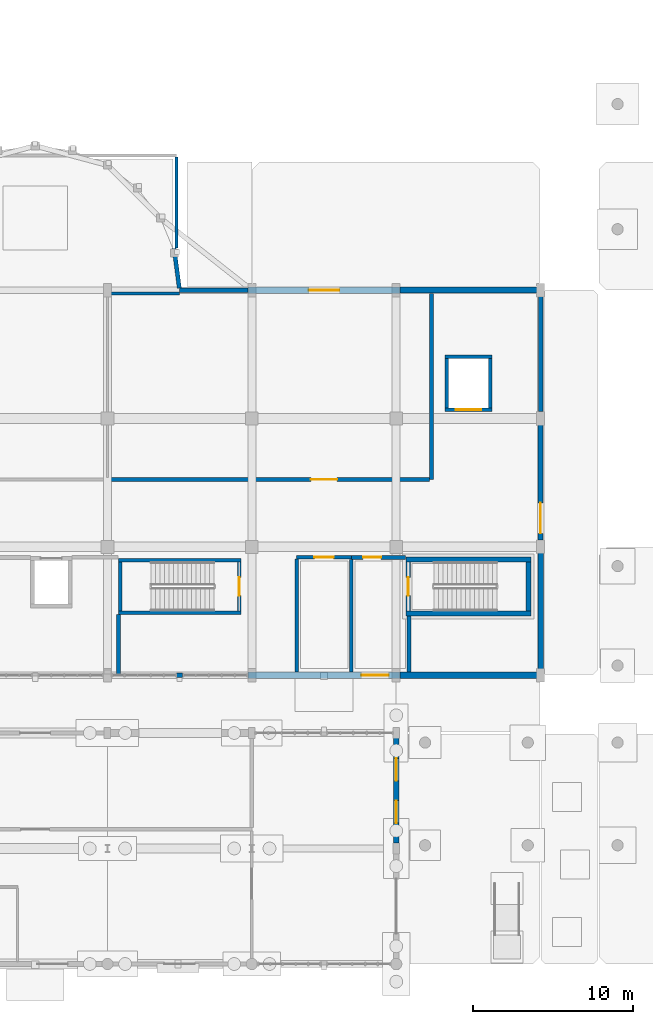
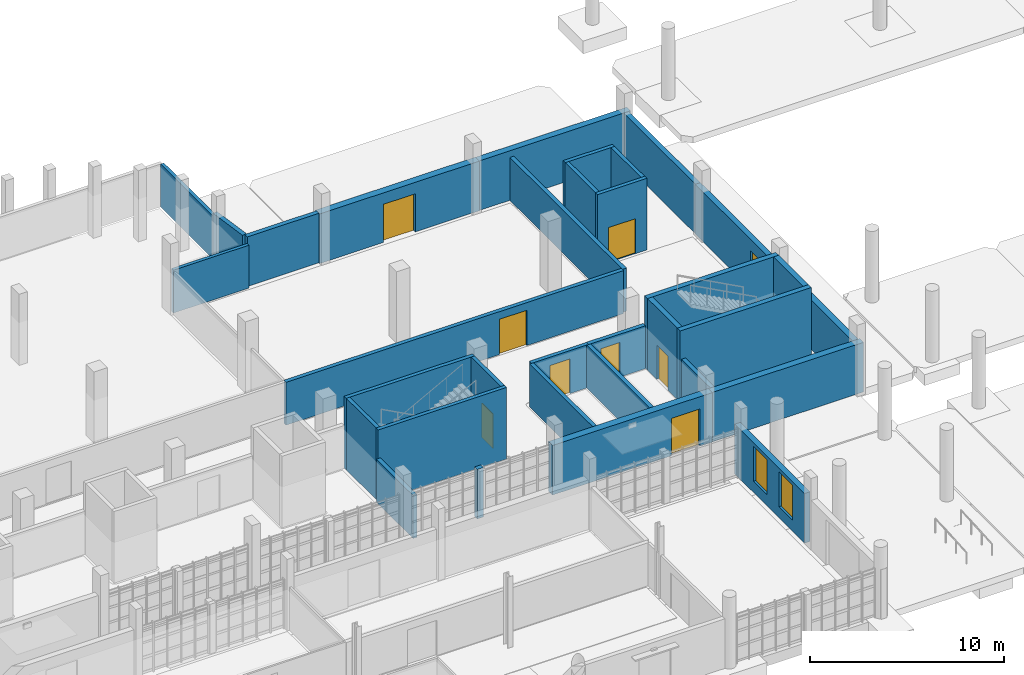
# One storey, part 45 of 63: 33 walls, 9 doors, 2 windows, 11 openings.
"""IFC4 building model written with IfcOpenShell, lengths in metres."""

from ifc_helpers import new_model, si_unit, direction, frame, frame_2d, origin, place, context, subcontext, project, spatial, rectangle, extrude, material, layer, layer_set, type_object, element, fill, save


model = new_model("IFC4")

# Units and contexts
model_context = context("Model", 3, precision=1e-05, world=origin(), true_north=direction((0.0, 1.0)))
body_context = subcontext(model_context, "Body", "Model", "MODEL_VIEW")
ifc_project = project(units=[si_unit("LENGTHUNIT", "METRE"), si_unit("AREAUNIT", "SQUARE_METRE"), si_unit("VOLUMEUNIT", "CUBIC_METRE"), si_unit("PLANEANGLEUNIT", "RADIAN"), si_unit("MASSUNIT", "GRAM", prefix="KILO")], contexts=[model_context])

# Site, building, storey
site_placement = place(None, origin())
site = spatial("IfcSite", under=ifc_project, at=site_placement, CompositionType="ELEMENT")
building_placement = place(site_placement, origin())
building = spatial("IfcBuilding", under=site, at=building_placement, Name="Serraforn Aerial Cableway Station", CompositionType="ELEMENT")
storey_placement = place(building_placement, origin())
storey = spatial("IfcBuildingStorey", under=building, at=storey_placement, Name="L00", CompositionType="ELEMENT", Elevation=0.0)

# Wall, opening, door
ifc_material_1 = material(Name="Concrete C35/45", Category="concrete")
ifc_layer_1 = layer(ifc_material_1, 0.219970703125)
ifc_layer_set_1 = layer_set([ifc_layer_1], Name="Concrete C35/45")
wall_type_1 = type_object("IfcWallType", Name="WL-COR-220", PredefinedType="SHEAR", material=ifc_layer_set_1)
wall_1_placement = place(storey_placement, frame((71.81005859375, 25.06005859375, 0.0), z_axis=(0.0, 0.0, 1.0), x_axis=(0.0, -1.0, 0.0)))
wall_1 = element("IfcWall", 1, at=wall_1_placement, inside=storey, type_object=wall_type_1, Name="Stair Core Shear Wall WCOR-ST-05-L00-NEAR", PredefinedType="SHEAR", context=body_context, shape_type="SweptSolid", body=[
    extrude(rectangle(XDim=3.06005859375, YDim=0.219970703125, at=frame_2d((1.530029296875, 0.0))), origin(), (0.0, 0.0, 1.0), 4.5),
])
opening_1_placement = place(wall_1_placement, frame((0.955078125, 0.0, 0.0)))
opening_1 = element("IfcOpeningElement", 2, at=opening_1_placement, cuts=wall_1, Name="Opening D-S23", PredefinedType="OPENING", context=body_context, shape_type="SweptSolid", body=[
    extrude(rectangle(XDim=1.14990234375, YDim=2.14990234375, at=frame_2d((0.574951171875, 1.074951171875))), frame((0.0, 0.119873046875, 0.0), z_axis=(0.0, -1.0, 0.0), x_axis=(1.0, 0.0, 0.0)), (0.0, 0.0, 1.0), 0.239990234375),
])
ifc_material_2 = material(Name="Self-closing steel stair fire door", Category="steel")
door_type_1 = type_object("IfcDoorType", Name="DR-STAIR-115", OperationType="NOTDEFINED", PredefinedType="DOOR", material=ifc_material_2)
door_1_placement = place(opening_1_placement, origin())
door_1 = element("IfcDoor", 3, at=door_1_placement, inside=storey, type_object=door_type_1, Name="Protected Stair Door D-S23", OperationType="SINGLE_SWING_LEFT", OverallHeight=2.14990234375, OverallWidth=1.14990234375, PredefinedType="DOOR", context=body_context, shape_type="SweptSolid", body=[
    extrude(rectangle(XDim=1.14990234375, YDim=2.14990234375, at=frame_2d((0.574951171875, 1.074951171875))), frame((0.0, 0.02490234375, 0.0), z_axis=(0.0, -1.0, 0.0), x_axis=(1.0, 0.0, 0.0)), (0.0, 0.0, 1.0), 0.050048828125),
])
fill(opening_1, door_1)

# Walls
wall_2_placement = place(storey_placement, frame((64.389892578125, 25.06005859375, 0.0), z_axis=(0.0, 0.0, 1.0), x_axis=(0.0, -1.0, 0.0)))
element("IfcWall", 4, at=wall_2_placement, inside=storey, type_object=wall_type_1, Name="Stair Core Shear Wall WCOR-ST-05-L00-FAR", PredefinedType="SHEAR", context=body_context, shape_type="SweptSolid", body=[
    extrude(rectangle(XDim=3.06005859375, YDim=0.219970703125, at=frame_2d((1.530029296875, 0.0))), origin(), (0.0, 0.0, 1.0), 4.5),
])
for number, where, z_axis, x_axis, name in (
    (5, (71.919921875, 25.169921875, 0.0), (0.0, 0.0, 1.0), (-1.0, 0.0, 0.0), "Stair Core Shear Wall WCOR-ST-05-L00-L"),
    (6, (71.919921875, 21.889892578125, 0.0), (0.0, 0.0, 1.0), (-1.0, 0.0, 0.0), "Stair Core Shear Wall WCOR-ST-05-L00-R"),
):
    element("IfcWall", number, at=place(storey_placement, frame(where, z_axis=z_axis, x_axis=x_axis)), inside=storey, type_object=wall_type_1, Name=name, PredefinedType="SHEAR", context=body_context, shape_type="SweptSolid", body=[
        extrude(rectangle(XDim=7.639892578125, YDim=0.219970703125, at=frame_2d((3.81982421875, 0.0))), origin(), (0.0, 0.0, 1.0), 4.5),
    ])

# Wall, opening, door
wall_3_placement = place(storey_placement, frame((84.6298828125, 34.5400390625, 0.0), z_axis=(0.0, 0.0, 1.0), x_axis=(1.0, 0.0, 0.0)))
wall_3 = element("IfcWall", 7, at=wall_3_placement, inside=storey, type_object=wall_type_1, Name="Lift Shaft Shear Wall WLFT-LF-05-L00-S", PredefinedType="SHEAR", context=body_context, shape_type="SweptSolid", body=[
    extrude(rectangle(XDim=2.940185546875, YDim=0.219970703125, at=frame_2d((1.47021484375, 0.0))), origin(), (0.0, 0.0, 1.0), 4.5),
])
opening_2_placement = place(wall_3_placement, frame((0.669921875, 0.0, 0.0)))
opening_2 = element("IfcOpeningElement", 8, at=opening_2_placement, cuts=wall_3, Name="Opening LD-19", PredefinedType="OPENING", context=body_context, shape_type="SweptSolid", body=[
    extrude(rectangle(XDim=1.60009765625, YDim=2.199951171875, at=frame_2d((0.800048828125, 1.10009765625))), frame((0.0, 0.119873046875, 0.0), z_axis=(0.0, -1.0, 0.0), x_axis=(1.0, 0.0, 0.0)), (0.0, 0.0, 1.0), 0.239990234375),
])
ifc_material_3 = material(Name="Brushed stainless-steel sliding lift landing door", Category="steel")
door_type_2 = type_object("IfcDoorType", Name="DR-LIFT-160", OperationType="DOUBLE_DOOR_SLIDING", PredefinedType="DOOR", material=ifc_material_3)
door_2_placement = place(opening_2_placement, origin())
door_2 = element("IfcDoor", 9, at=door_2_placement, inside=storey, type_object=door_type_2, Name="Sliding Lift Landing Door LD-19 (LF-05 L00)", OperationType="DOUBLE_DOOR_SLIDING", OverallHeight=2.199951171875, OverallWidth=1.60009765625, PredefinedType="DOOR", context=body_context, shape_type="SweptSolid", body=[
    extrude(rectangle(XDim=1.60009765625, YDim=2.199951171875, at=frame_2d((0.800048828125, 1.10009765625))), frame((0.0, 0.02490234375, 0.0), z_axis=(0.0, -1.0, 0.0), x_axis=(1.0, 0.0, 0.0)), (0.0, 0.0, 1.0), 0.050048828125),
])
fill(opening_2, door_2)

# Walls
wall_4_placement = place(storey_placement, frame((84.6298828125, 37.860107421875, 0.0), z_axis=(0.0, 0.0, 1.0), x_axis=(1.0, 0.0, 0.0)))
element("IfcWall", 10, at=wall_4_placement, inside=storey, type_object=wall_type_1, Name="Lift Shaft Shear Wall WLFT-LF-05-L00-N", PredefinedType="SHEAR", context=body_context, shape_type="SweptSolid", body=[
    extrude(rectangle(XDim=2.940185546875, YDim=0.219970703125, at=frame_2d((1.47021484375, 0.0))), origin(), (0.0, 0.0, 1.0), 4.5),
])
for number, where, z_axis, x_axis, name in (
    (11, (84.739990234375, 34.64990234375, 0.0), (0.0, 0.0, 1.0), (0.0, 1.0, 0.0), "Lift Shaft Shear Wall WLFT-LF-05-L00-W"),
    (12, (87.4599609375, 34.64990234375, 0.0), (0.0, 0.0, 1.0), (0.0, 1.0, 0.0), "Lift Shaft Shear Wall WLFT-LF-05-L00-E"),
):
    element("IfcWall", number, at=place(storey_placement, frame(where, z_axis=z_axis, x_axis=x_axis)), inside=storey, type_object=wall_type_1, Name=name, PredefinedType="SHEAR", context=body_context, shape_type="SweptSolid", body=[
        extrude(rectangle(XDim=3.10009765625, YDim=0.219970703125, at=frame_2d((1.550048828125, 0.0))), origin(), (0.0, 0.0, 1.0), 4.5),
    ])

# Wall, opening, door
ifc_layer_2 = layer(ifc_material_1, 0.300048828125)
ifc_layer_set_2 = layer_set([ifc_layer_2], Name="Concrete C35/45")
wall_type_2 = type_object("IfcWallType", Name="WL-COR-300", PredefinedType="SHEAR", material=ifc_layer_set_2)
wall_5_placement = place(storey_placement, frame((82.35009765625, 22.0, 0.0), z_axis=(0.0, 0.0, 1.0), x_axis=(0.0, 1.0, 0.0)))
wall_5 = element("IfcWall", 13, at=wall_5_placement, inside=storey, type_object=wall_type_2, Name="Stair Core Shear Wall WCOR-ST-13-L00-NEAR", PredefinedType="SHEAR", context=body_context, shape_type="SweptSolid", body=[
    extrude(rectangle(XDim=3.06005859375, YDim=0.300048828125, at=frame_2d((1.530029296875, 0.0))), origin(), (0.0, 0.0, 1.0), 4.5),
])
opening_3_placement = place(wall_5_placement, frame((0.955078125, 0.0, 0.0)))
opening_3 = element("IfcOpeningElement", 14, at=opening_3_placement, cuts=wall_5, Name="Opening D-S26", PredefinedType="OPENING", context=body_context, shape_type="SweptSolid", body=[
    extrude(rectangle(XDim=1.14990234375, YDim=2.14990234375, at=frame_2d((0.574951171875, 1.074951171875))), frame((0.0, 0.159912109375, 0.0), z_axis=(0.0, -1.0, 0.0), x_axis=(1.0, 0.0, 0.0)), (0.0, 0.0, 1.0), 0.320068359375),
])
door_3_placement = place(opening_3_placement, origin())
door_3 = element("IfcDoor", 15, at=door_3_placement, inside=storey, type_object=door_type_1, Name="Protected Stair Door D-S26", OperationType="SINGLE_SWING_LEFT", OverallHeight=2.14990234375, OverallWidth=1.14990234375, PredefinedType="DOOR", context=body_context, shape_type="SweptSolid", body=[
    extrude(rectangle(XDim=1.14990234375, YDim=2.14990234375, at=frame_2d((0.574951171875, 1.074951171875))), frame((0.0, 0.02490234375, 0.0), z_axis=(0.0, -1.0, 0.0), x_axis=(1.0, 0.0, 0.0)), (0.0, 0.0, 1.0), 0.050048828125),
])
fill(opening_3, door_3)

# Walls
wall_6_placement = place(storey_placement, frame((89.85009765625, 22.0, 0.0), z_axis=(0.0, 0.0, 1.0), x_axis=(0.0, 1.0, 0.0)))
element("IfcWall", 16, at=wall_6_placement, inside=storey, type_object=wall_type_2, Name="Stair Core Shear Wall WCOR-ST-13-L00-FAR", PredefinedType="SHEAR", context=body_context, shape_type="SweptSolid", body=[
    extrude(rectangle(XDim=3.06005859375, YDim=0.300048828125, at=frame_2d((1.530029296875, 0.0))), origin(), (0.0, 0.0, 1.0), 4.5),
])
for number, where, z_axis, x_axis, name in (
    (17, (82.199951171875, 21.85009765625, 0.0), (0.0, 0.0, 1.0), (1.0, 0.0, 0.0), "Stair Core Shear Wall WCOR-ST-13-L00-L"),
    (18, (82.199951171875, 25.2099609375, 0.0), (0.0, 0.0, 1.0), (1.0, 0.0, 0.0), "Stair Core Shear Wall WCOR-ST-13-L00-R"),
):
    element("IfcWall", number, at=place(storey_placement, frame(where, z_axis=z_axis, x_axis=x_axis)), inside=storey, type_object=wall_type_2, Name=name, PredefinedType="SHEAR", context=body_context, shape_type="SweptSolid", body=[
        extrude(rectangle(XDim=7.800048828125, YDim=0.300048828125, at=frame_2d((3.89990234375, 0.0))), origin(), (0.0, 0.0, 1.0), 4.5),
    ])
ifc_material_4 = material(Name="Insulated stuccoed terracotta facade", Category="masonry")
ifc_layer_3 = layer(ifc_material_4, 0.260009765625)
ifc_layer_set_3 = layer_set([ifc_layer_3], Name="Insulated stuccoed terracotta facade")
wall_type_3 = type_object("IfcWallType", Name="WL-EXT-260", PredefinedType="SOLIDWALL", material=ifc_layer_set_3)
wall_7_placement = place(storey_placement, frame((72.34912109375, 42.0, 0.0), z_axis=(0.0, 0.0, 1.0), x_axis=(-1.0, 0.0, 0.0)))
element("IfcWall", 19, at=wall_7_placement, inside=storey, type_object=wall_type_3, Name="Exterior Wall WEXT-CV-L00-N5", PredefinedType="SOLIDWALL", context=body_context, shape_type="SweptSolid", body=[
    extrude(rectangle(XDim=4.2490234375, YDim=0.260009765625, at=frame_2d((2.12451171875, 0.0))), origin(), (0.0, 0.0, 1.0), 3.1201171875),
])
wall_8_placement = place(storey_placement, frame((68.0830078125, 42.12890625, 0.0), z_axis=(0.0, 0.0, 1.0), x_axis=(-0.130570719139, 0.991438998277, 0.0)))
element("IfcWall", 20, at=wall_8_placement, inside=storey, type_object=wall_type_3, Name="Exterior Wall WEXT-AP-L00-R12", PredefinedType="SOLIDWALL", context=body_context, shape_type="SweptSolid", body=[
    extrude(rectangle(XDim=2.5, YDim=0.260009765625, at=frame_2d((1.25, 0.0))), origin(), (0.0, 0.0, 1.0), 3.1201171875),
])
ifc_layer_4 = layer(ifc_material_4, 0.27490234375)
ifc_layer_set_4 = layer_set([ifc_layer_4], Name="Insulated stuccoed terracotta facade")
wall_type_4 = type_object("IfcWallType", Name="WL-EXT-275", PredefinedType="SOLIDWALL", material=ifc_layer_set_4)
wall_9_placement = place(storey_placement, frame((67.919921875, 18.0, 0.0), z_axis=(0.0, 0.0, 1.0), x_axis=(1.0, 0.0, 0.0)))
element("IfcWall", 21, at=wall_9_placement, inside=storey, type_object=wall_type_4, Name="Exterior Wall WPIER-CV-L00-S5", PredefinedType="SOLIDWALL", context=body_context, shape_type="SweptSolid", body=[
    extrude(rectangle(XDim=0.360107421875, YDim=0.27490234375, at=frame_2d((0.18017578125, 0.0))), origin(), (0.0, 0.0, 1.0), 3.1201171875),
])
ifc_material_5 = material(Name="Insulated fluted limestone rainscreen", Category="masonry")
ifc_layer_5 = layer(ifc_material_5, 0.2900390625)
ifc_layer_set_5 = layer_set([ifc_layer_5], Name="Insulated fluted limestone rainscreen")
wall_type_5 = type_object("IfcWallType", Name="WL-EXT-290", PredefinedType="SOLIDWALL", material=ifc_layer_set_5)
wall_10_placement = place(storey_placement, frame((90.60009765625, 34.426025390625, 0.0), z_axis=(0.0, 0.0, 1.0), x_axis=(0.0, 1.0, 0.0)))
element("IfcWall", 22, at=wall_10_placement, inside=storey, type_object=wall_type_5, Name="Exterior Wall WEXT-CV-L00-E3", PredefinedType="SOLIDWALL", context=body_context, shape_type="SweptSolid", body=[
    extrude(rectangle(XDim=7.383056640625, YDim=0.2900390625, at=frame_2d((3.69140625, 0.0))), origin(), (0.0, 0.0, 1.0), 3.1201171875),
])

# Wall, opening, door
ifc_layer_6 = layer(ifc_material_5, 0.320068359375)
ifc_layer_set_6 = layer_set([ifc_layer_6], Name="Insulated fluted limestone rainscreen")
wall_type_6 = type_object("IfcWallType", Name="WL-EXT-320", PredefinedType="SOLIDWALL", material=ifc_layer_set_6)
wall_11_placement = place(storey_placement, frame((90.60009765625, 26.426025390625, 0.0), z_axis=(0.0, 0.0, 1.0), x_axis=(0.0, 1.0, 0.0)))
wall_11 = element("IfcWall", 23, at=wall_11_placement, inside=storey, type_object=wall_type_6, Name="Exterior Wall WEXT-CV-L00-E2", PredefinedType="SOLIDWALL", context=body_context, shape_type="SweptSolid", body=[
    extrude(rectangle(XDim=7.9990234375, YDim=0.320068359375, at=frame_2d((3.99951171875, 0.0))), origin(), (0.0, 0.0, 1.0), 3.1201171875),
])
opening_4_placement = place(wall_11_placement, frame((0.41162109375, 0.0, 0.0)))
opening_4 = element("IfcOpeningElement", 24, at=opening_4_placement, cuts=wall_11, Name="Opening DE-01", PredefinedType="OPENING", context=body_context, shape_type="SweptSolid", body=[
    extrude(rectangle(XDim=1.89990234375, YDim=2.39990234375, at=frame_2d((0.949951171875, 1.199951171875))), frame((0.0, 0.169921875, 0.0), z_axis=(0.0, -1.0, 0.0), x_axis=(1.0, 0.0, 0.0)), (0.0, 0.0, 1.0), 0.340087890625),
])
ifc_material_6 = material(Name="Anodised bronze thermally broken aluminium and laminated glass", Category="aluminium")
door_type_3 = type_object("IfcDoorType", Name="DR-EXT-190", OperationType="DOUBLE_SWING_LEFT", PredefinedType="DOOR", material=ifc_material_6)
door_4_placement = place(opening_4_placement, origin())
door_4 = element("IfcDoor", 25, at=door_4_placement, inside=storey, type_object=door_type_3, Name="Exterior Door DE-CV-L00-E2", OperationType="DOUBLE_SWING_LEFT", OverallHeight=2.39990234375, OverallWidth=1.89990234375, PredefinedType="DOOR", context=body_context, shape_type="SweptSolid", body=[
    extrude(rectangle(XDim=1.89990234375, YDim=2.39990234375, at=frame_2d((0.949951171875, 1.199951171875))), frame((0.0, 0.02490234375, 0.0), z_axis=(0.0, -1.0, 0.0), x_axis=(1.0, 0.0, 0.0)), (0.0, 0.0, 1.0), 0.050048828125),
])
fill(opening_4, door_4)

# Wall, openings, windows
ifc_layer_7 = layer(ifc_material_5, 0.3349609375)
ifc_layer_set_7 = layer_set([ifc_layer_7], Name="Insulated fluted limestone rainscreen")
wall_type_7 = type_object("IfcWallType", Name="WL-EXT-335", PredefinedType="SOLIDWALL", material=ifc_layer_set_7)
wall_12_placement = place(storey_placement, frame((81.60009765625, 7.551025390625, 0.0), z_axis=(0.0, 0.0, 1.0), x_axis=(0.0, 1.0, 0.0)))
wall_12 = element("IfcWall", 26, at=wall_12_placement, inside=storey, type_object=wall_type_7, Name="Exterior Wall WEXT-CF-L00-E2", PredefinedType="SOLIDWALL", context=body_context, shape_type="SweptSolid", body=[
    extrude(rectangle(XDim=7.198974609375, YDim=0.3349609375, at=frame_2d((3.599609375, 0.0))), origin(), (0.0, 0.0, 1.0), 3.1201171875),
])
opening_5_placement = place(wall_12_placement, frame((1.232421875, 0.0, 0.699951171875)))
opening_5 = element("IfcOpeningElement", 27, at=opening_5_placement, cuts=wall_12, Name="Opening W-07", PredefinedType="OPENING", context=body_context, shape_type="SweptSolid", body=[
    extrude(rectangle(XDim=1.39990234375, YDim=2.199951171875, at=frame_2d((0.699951171875, 1.10009765625))), frame((0.0, 0.177490234375, 0.0), z_axis=(0.0, -1.0, 0.0), x_axis=(1.0, 0.0, 0.0)), (0.0, 0.0, 1.0), 0.35498046875),
])
opening_6_placement = place(wall_12_placement, frame((3.86572265625, 0.0, 0.699951171875)))
opening_6 = element("IfcOpeningElement", 28, at=opening_6_placement, cuts=wall_12, Name="Opening W-07", PredefinedType="OPENING", context=body_context, shape_type="SweptSolid", body=[
    extrude(rectangle(XDim=1.39990234375, YDim=2.199951171875, at=frame_2d((0.699951171875, 1.10009765625))), frame((0.0, 0.177490234375, 0.0), z_axis=(0.0, -1.0, 0.0), x_axis=(1.0, 0.0, 0.0)), (0.0, 0.0, 1.0), 0.35498046875),
])
ifc_material_7 = material(Name="Anodised bronze aluminium and low-E double glazing", Category="aluminium")
window_type = type_object("IfcWindowType", Name="WIN-ART-07", PartitioningType="SINGLE_PANEL", PredefinedType="WINDOW", material=ifc_material_7)
window_1_placement = place(opening_5_placement, origin())
window_1 = element("IfcWindow", 29, at=window_1_placement, inside=storey, type_object=window_type, Name="Art Deco Window WEXT-CF-L00-E2-W1", OverallHeight=2.199951171875, OverallWidth=1.39990234375, PartitioningType="SINGLE_PANEL", PredefinedType="WINDOW", context=body_context, shape_type="SweptSolid", body=[
    extrude(rectangle(XDim=1.39990234375, YDim=2.199951171875, at=frame_2d((0.699951171875, 1.10009765625))), frame((0.0, 0.030029296875, 0.0), z_axis=(0.0, -1.0, 0.0), x_axis=(1.0, 0.0, 0.0)), (0.0, 0.0, 1.0), 0.06005859375),
])
fill(opening_5, window_1)
window_2_placement = place(opening_6_placement, origin())
window_2 = element("IfcWindow", 30, at=window_2_placement, inside=storey, type_object=window_type, Name="Art Deco Window WEXT-CF-L00-E2-W2", OverallHeight=2.199951171875, OverallWidth=1.39990234375, PartitioningType="SINGLE_PANEL", PredefinedType="WINDOW", context=body_context, shape_type="SweptSolid", body=[
    extrude(rectangle(XDim=1.39990234375, YDim=2.199951171875, at=frame_2d((0.699951171875, 1.10009765625))), frame((0.0, 0.030029296875, 0.0), z_axis=(0.0, -1.0, 0.0), x_axis=(1.0, 0.0, 0.0)), (0.0, 0.0, 1.0), 0.06005859375),
])
fill(opening_6, window_2)

# Walls
ifc_material_8 = material(Name="Montjuic sandstone ashlar masonry", Category="masonry")
ifc_layer_8 = layer(ifc_material_8, 0.35009765625)
ifc_layer_set_8 = layer_set([ifc_layer_8], Name="Montjuic sandstone ashlar masonry")
wall_type_8 = type_object("IfcWallType", Name="WL-EXT-350", PredefinedType="SOLIDWALL", material=ifc_layer_set_8)
wall_13_placement = place(storey_placement, frame((90.60009765625, 18.200927734375, 0.0), z_axis=(0.0, 0.0, 1.0), x_axis=(0.0, 1.0, 0.0)))
element("IfcWall", 31, at=wall_13_placement, inside=storey, type_object=wall_type_8, Name="Exterior Wall WEXT-CV-L00-E1", PredefinedType="SOLIDWALL", context=body_context, shape_type="SweptSolid", body=[
    extrude(rectangle(XDim=8.22412109375, YDim=0.35009765625, at=frame_2d((4.112060546875, 0.0))), origin(), (0.0, 0.0, 1.0), 3.1201171875),
])
ifc_layer_9 = layer(ifc_material_8, 0.3798828125)
ifc_layer_set_9 = layer_set([ifc_layer_9], Name="Montjuic sandstone ashlar masonry")
wall_type_9 = type_object("IfcWallType", Name="WL-EXT-380", PredefinedType="SOLIDWALL", material=ifc_layer_set_9)
wall_14_placement = place(storey_placement, frame((90.85009765625, 42.0, 0.0), z_axis=(0.0, 0.0, 1.0), x_axis=(-1.0, 0.0, 0.0)))
element("IfcWall", 32, at=wall_14_placement, inside=storey, type_object=wall_type_9, Name="Exterior Wall WEXT-CV-L00-N7", PredefinedType="SOLIDWALL", context=body_context, shape_type="SweptSolid", body=[
    extrude(rectangle(XDim=8.9990234375, YDim=0.3798828125, at=frame_2d((4.49951171875, 0.0))), origin(), (0.0, 0.0, 1.0), 3.1201171875),
])
ifc_layer_10 = layer(ifc_material_8, 0.39990234375)
ifc_layer_set_10 = layer_set([ifc_layer_10], Name="Montjuic sandstone ashlar masonry")
wall_type_10 = type_object("IfcWallType", Name="WL-EXT-400", PredefinedType="SOLIDWALL", material=ifc_layer_set_10)
wall_15_placement = place(storey_placement, frame((81.85107421875, 18.0, 0.0), z_axis=(0.0, 0.0, 1.0), x_axis=(1.0, 0.0, 0.0)))
element("IfcWall", 33, at=wall_15_placement, inside=storey, type_object=wall_type_10, Name="Exterior Wall WEXT-CV-L00-S7", PredefinedType="SOLIDWALL", context=body_context, shape_type="SweptSolid", body=[
    extrude(rectangle(XDim=8.9990234375, YDim=0.39990234375, at=frame_2d((4.49951171875, 0.0))), origin(), (0.0, 0.0, 1.0), 3.1201171875),
])

# Wall, opening, door
ifc_layer_11 = layer(ifc_material_8, 0.4150390625)
ifc_layer_set_11 = layer_set([ifc_layer_11], Name="Montjuic sandstone ashlar masonry")
wall_type_11 = type_object("IfcWallType", Name="WL-EXT-415", PredefinedType="SOLIDWALL", material=ifc_layer_set_11)
wall_16_placement = place(storey_placement, frame((81.85009765625, 42.0, 0.0), z_axis=(0.0, 0.0, 1.0), x_axis=(-1.0, 0.0, 0.0)))
wall_16 = element("IfcWall", 34, at=wall_16_placement, inside=storey, type_object=wall_type_11, Name="Exterior Wall WEXT-CV-L00-N6", PredefinedType="SOLIDWALL", context=body_context, shape_type="SweptSolid", body=[
    extrude(rectangle(XDim=9.5, YDim=0.4150390625, at=frame_2d((4.75, 0.0))), origin(), (0.0, 0.0, 1.0), 3.1201171875),
])
opening_7_placement = place(wall_16_placement, frame((3.800048828125, 0.0, 0.0)))
opening_7 = element("IfcOpeningElement", 35, at=opening_7_placement, cuts=wall_16, Name="Opening DE-01", PredefinedType="OPENING", context=body_context, shape_type="SweptSolid", body=[
    extrude(rectangle(XDim=1.89990234375, YDim=2.39990234375, at=frame_2d((0.949951171875, 1.199951171875))), frame((0.0, 0.217529296875, 0.0), z_axis=(0.0, -1.0, 0.0), x_axis=(1.0, 0.0, 0.0)), (0.0, 0.0, 1.0), 0.43505859375),
])
door_5_placement = place(opening_7_placement, origin())
door_5 = element("IfcDoor", 36, at=door_5_placement, inside=storey, type_object=door_type_3, Name="Exterior Door DE-CV-L00-N5", OperationType="DOUBLE_SWING_LEFT", OverallHeight=2.39990234375, OverallWidth=1.89990234375, PredefinedType="DOOR", context=body_context, shape_type="SweptSolid", body=[
    extrude(rectangle(XDim=1.89990234375, YDim=2.39990234375, at=frame_2d((0.949951171875, 1.199951171875))), frame((0.0, 0.02490234375, 0.0), z_axis=(0.0, -1.0, 0.0), x_axis=(1.0, 0.0, 0.0)), (0.0, 0.0, 1.0), 0.050048828125),
])
fill(opening_7, door_5)

ifc_layer_12 = layer(ifc_material_8, 0.429931640625)
ifc_layer_set_12 = layer_set([ifc_layer_12], Name="Montjuic sandstone ashlar masonry")
wall_type_12 = type_object("IfcWallType", Name="WL-EXT-430", PredefinedType="SOLIDWALL", material=ifc_layer_set_12)
wall_17_placement = place(storey_placement, frame((72.35009765625, 18.0, 0.0), z_axis=(0.0, 0.0, 1.0), x_axis=(1.0, 0.0, 0.0)))
wall_17 = element("IfcWall", 37, at=wall_17_placement, inside=storey, type_object=wall_type_12, Name="Exterior Wall WEXT-CV-L00-S6", PredefinedType="SOLIDWALL", context=body_context, shape_type="SweptSolid", body=[
    extrude(rectangle(XDim=9.5, YDim=0.429931640625, at=frame_2d((4.75, 0.0))), origin(), (0.0, 0.0, 1.0), 3.1201171875),
])
opening_8_placement = place(wall_17_placement, frame((7.08251953125, 0.0, 0.0)))
opening_8 = element("IfcOpeningElement", 38, at=opening_8_placement, cuts=wall_17, Name="Opening DE-03", PredefinedType="OPENING", context=body_context, shape_type="SweptSolid", body=[
    extrude(rectangle(XDim=1.699951171875, YDim=2.35009765625, at=frame_2d((0.85009765625, 1.175048828125))), frame((0.0, 0.224853515625, 0.0), z_axis=(0.0, -1.0, 0.0), x_axis=(1.0, 0.0, 0.0)), (0.0, 0.0, 1.0), 0.449951171875),
])
door_type_4 = type_object("IfcDoorType", Name="DR-EXT-170", OperationType="DOUBLE_SWING_LEFT", PredefinedType="DOOR", material=ifc_material_6)
door_6_placement = place(opening_8_placement, origin())
door_6 = element("IfcDoor", 39, at=door_6_placement, inside=storey, type_object=door_type_4, Name="Exterior Door DE-CV-L00-S6", OperationType="DOUBLE_SWING_LEFT", OverallHeight=2.35009765625, OverallWidth=1.699951171875, PredefinedType="DOOR", context=body_context, shape_type="SweptSolid", body=[
    extrude(rectangle(XDim=1.699951171875, YDim=2.35009765625, at=frame_2d((0.85009765625, 1.175048828125))), frame((0.0, 0.02490234375, 0.0), z_axis=(0.0, -1.0, 0.0), x_axis=(1.0, 0.0, 0.0)), (0.0, 0.0, 1.0), 0.050048828125),
])
fill(opening_8, door_6)

# Wall
ifc_material_9 = material(Name="Concrete C30/37", Category="concrete")
ifc_layer_13 = layer(ifc_material_9, 0.241943359375)
ifc_layer_set_13 = layer_set([ifc_layer_13], Name="Concrete C30/37")
wall_type_13 = type_object("IfcWallType", Name="WL-FIR-242", PredefinedType="SOLIDWALL", material=ifc_layer_set_13)
wall_18_placement = place(storey_placement, frame((78.800048828125, 18.216064453125, 0.0), z_axis=(0.0, 0.0, 1.0), x_axis=(0.0, 1.0, 0.0)))
element("IfcWall", 40, at=wall_18_placement, inside=storey, type_object=wall_type_13, Name="Interior Partition WPRT-L00-25-67", PredefinedType="SOLIDWALL", context=body_context, shape_type="SweptSolid", body=[
    extrude(rectangle(XDim=7.011962890625, YDim=0.241943359375, at=frame_2d((3.505859375, 0.0))), origin(), (0.0, 0.0, 1.0), 2.699951171875),
])

# Wall, opening, door
wall_19_placement = place(storey_placement, frame((78.800048828125, 25.35009765625, 0.0), z_axis=(0.0, 0.0, 1.0), x_axis=(1.0, 0.0, 0.0)))
wall_19 = element("IfcWall", 41, at=wall_19_placement, inside=storey, type_object=wall_type_13, Name="Interior Partition WPRT-L00-25-68", PredefinedType="SOLIDWALL", context=body_context, shape_type="SweptSolid", body=[
    extrude(rectangle(XDim=3.3798828125, YDim=0.241943359375, at=frame_2d((1.68994140625, 0.0))), origin(), (0.0, 0.0, 1.0), 2.699951171875),
])
opening_9_placement = place(wall_19_placement, frame((0.739990234375, 0.0, 0.0)))
opening_9 = element("IfcOpeningElement", 42, at=opening_9_placement, cuts=wall_19, Name="Opening DI-022", PredefinedType="OPENING", context=body_context, shape_type="SweptSolid", body=[
    extrude(rectangle(XDim=1.1201171875, YDim=2.179931640625, at=frame_2d((0.56005859375, 1.08984375))), frame((0.0, 0.130859375, 0.0), z_axis=(0.0, -1.0, 0.0), x_axis=(1.0, 0.0, 0.0)), (0.0, 0.0, 1.0), 0.261962890625),
])
ifc_material_10 = material(Name="Fire-rated steel-core acoustic leaf", Category="steel")
door_type_5 = type_object("IfcDoorType", Name="DR-INT-112", OperationType="NOTDEFINED", PredefinedType="DOOR", material=ifc_material_10)
door_7_placement = place(opening_9_placement, origin())
door_7 = element("IfcDoor", 43, at=door_7_placement, inside=storey, type_object=door_type_5, Name="Room Door DI-022 (L00-25)", OperationType="SINGLE_SWING_LEFT", OverallHeight=2.179931640625, OverallWidth=1.1201171875, PredefinedType="DOOR", context=body_context, shape_type="SweptSolid", body=[
    extrude(rectangle(XDim=1.1201171875, YDim=2.179931640625, at=frame_2d((0.56005859375, 1.08984375))), frame((0.0, 0.02490234375, 0.0), z_axis=(0.0, -1.0, 0.0), x_axis=(1.0, 0.0, 0.0)), (0.0, 0.0, 1.0), 0.050048828125),
])
fill(opening_9, door_7)

# Walls
wall_20_placement = place(storey_placement, frame((82.39990234375, 21.698974609375, 0.0), z_axis=(0.0, 0.0, 1.0), x_axis=(0.0, -1.0, 0.0)))
element("IfcWall", 44, at=wall_20_placement, inside=storey, type_object=wall_type_13, Name="Interior Partition WPRT-L00-25-69", PredefinedType="SOLIDWALL", context=body_context, shape_type="SweptSolid", body=[
    extrude(rectangle(XDim=3.498046875, YDim=0.241943359375, at=frame_2d((1.7490234375, 0.0))), origin(), (0.0, 0.0, 1.0), 2.699951171875),
])
wall_21_placement = place(storey_placement, frame((64.300048828125, 21.779052734375, 0.0), z_axis=(0.0, 0.0, 1.0), x_axis=(0.0, -1.0, 0.0)))
element("IfcWall", 45, at=wall_21_placement, inside=storey, type_object=wall_type_13, Name="Interior Partition WPRT-L00-14-76", PredefinedType="SOLIDWALL", context=body_context, shape_type="SweptSolid", body=[
    extrude(rectangle(XDim=3.779052734375, YDim=0.241943359375, at=frame_2d((1.8896484375, 0.0))), origin(), (0.0, 0.0, 1.0), 2.699951171875),
])
wall_22_placement = place(storey_placement, frame((83.800048828125, 41.80908203125, 0.0), z_axis=(0.0, 0.0, 1.0), x_axis=(0.0, -1.0, 0.0)))
element("IfcWall", 46, at=wall_22_placement, inside=storey, type_object=wall_type_13, Name="Interior Partition WPRT-L00-13-86", PredefinedType="SOLIDWALL", context=body_context, shape_type="SweptSolid", body=[
    extrude(rectangle(XDim=11.609130859375, YDim=0.241943359375, at=frame_2d((5.8046875, 0.0))), origin(), (0.0, 0.0, 1.0), 2.699951171875),
])
ifc_material_11 = material(Name="Sanitary service chase partition")
ifc_layer_14 = layer(ifc_material_11, 0.22802734375)
ifc_layer_set_14 = layer_set([ifc_layer_14], Name="Sanitary service chase partition")
wall_type_14 = type_object("IfcWallType", Name="WL-PLM-228", PredefinedType="PLUMBINGWALL", material=ifc_layer_set_14)
wall_23_placement = place(storey_placement, frame((75.39990234375, 18.216064453125, 0.0), z_axis=(0.0, 0.0, 1.0), x_axis=(0.0, 1.0, 0.0)))
element("IfcWall", 47, at=wall_23_placement, inside=storey, type_object=wall_type_14, Name="Interior Partition WPRT-L00-20-70", PredefinedType="PLUMBINGWALL", context=body_context, shape_type="SweptSolid", body=[
    extrude(rectangle(XDim=7.01904296875, YDim=0.22802734375, at=frame_2d((3.509521484375, 0.0))), origin(), (0.0, 0.0, 1.0), 2.699951171875),
])

# Wall, opening, door
wall_24_placement = place(storey_placement, frame((75.39990234375, 25.35009765625, 0.0), z_axis=(0.0, 0.0, 1.0), x_axis=(1.0, 0.0, 0.0)))
wall_24 = element("IfcWall", 48, at=wall_24_placement, inside=storey, type_object=wall_type_14, Name="Interior Partition WPRT-L00-20-71", PredefinedType="PLUMBINGWALL", context=body_context, shape_type="SweptSolid", body=[
    extrude(rectangle(XDim=3.400146484375, YDim=0.22802734375, at=frame_2d((1.7001953125, 0.0))), origin(), (0.0, 0.0, 1.0), 2.699951171875),
])
opening_10_placement = place(wall_24_placement, frame((1.10009765625, 0.0, 0.0)))
opening_10 = element("IfcOpeningElement", 49, at=opening_10_placement, cuts=wall_24, Name="Opening DI-023", PredefinedType="OPENING", context=body_context, shape_type="SweptSolid", body=[
    extrude(rectangle(XDim=1.199951171875, YDim=2.179931640625, at=frame_2d((0.60009765625, 1.08984375))), frame((0.0, 0.1240234375, 0.0), z_axis=(0.0, -1.0, 0.0), x_axis=(1.0, 0.0, 0.0)), (0.0, 0.0, 1.0), 0.248046875),
])
door_type_6 = type_object("IfcDoorType", Name="DR-INT-120", OperationType="NOTDEFINED", PredefinedType="DOOR", material=ifc_material_10)
door_8_placement = place(opening_10_placement, origin())
door_8 = element("IfcDoor", 50, at=door_8_placement, inside=storey, type_object=door_type_6, Name="Room Door DI-023 (L00-20)", OperationType="SINGLE_SWING_RIGHT", OverallHeight=2.179931640625, OverallWidth=1.199951171875, PredefinedType="DOOR", context=body_context, shape_type="SweptSolid", body=[
    extrude(rectangle(XDim=1.199951171875, YDim=2.179931640625, at=frame_2d((0.60009765625, 1.08984375))), frame((0.0, 0.02490234375, 0.0), z_axis=(0.0, -1.0, 0.0), x_axis=(1.0, 0.0, 0.0)), (0.0, 0.0, 1.0), 0.050048828125),
])
fill(opening_10, door_8)

# Walls
ifc_material_12 = material(Name="Acoustic masonry blockwork", Category="masonry")
ifc_layer_15 = layer(ifc_material_12, 0.18994140625)
ifc_layer_set_15 = layer_set([ifc_layer_15], Name="Acoustic masonry blockwork")
wall_type_15 = type_object("IfcWallType", Name="WL-PRT-190", PredefinedType="PARTITIONING", material=ifc_layer_set_15)
wall_25_placement = place(storey_placement, frame((68.09912109375, 41.800048828125, 0.0), z_axis=(0.0, 0.0, 1.0), x_axis=(-1.0, 0.0, 0.0)))
element("IfcWall", 51, at=wall_25_placement, inside=storey, type_object=wall_type_15, Name="Interior Partition WPRT-L00-12-83", PredefinedType="PARTITIONING", context=body_context, shape_type="SweptSolid", body=[
    extrude(rectangle(XDim=4.4990234375, YDim=0.18994140625, at=frame_2d((2.24951171875, 0.0))), origin(), (0.0, 0.0, 1.0), 2.699951171875),
])
ifc_layer_16 = layer(ifc_material_12, 0.199951171875)
ifc_layer_set_16 = layer_set([ifc_layer_16], Name="Acoustic masonry blockwork")
wall_type_16 = type_object("IfcWallType", Name="WL-PRT-200", PredefinedType="PARTITIONING", material=ifc_layer_set_16)
wall_26_placement = place(storey_placement, frame((67.89990234375, 50.2939453125, 0.0), z_axis=(0.0, 0.0, 1.0), x_axis=(0.0, -1.0, 0.0)))
element("IfcWall", 52, at=wall_26_placement, inside=storey, type_object=wall_type_16, Name="Interior Partition WPRT-L00-12-82", PredefinedType="PARTITIONING", context=body_context, shape_type="SweptSolid", body=[
    extrude(rectangle(XDim=5.66650390625, YDim=0.199951171875, at=frame_2d((2.833251953125, 0.0))), origin(), (0.0, 0.0, 1.0), 2.699951171875),
])

# Wall, opening, door
ifc_layer_17 = layer(ifc_material_12, 0.235107421875)
ifc_layer_set_17 = layer_set([ifc_layer_17], Name="Acoustic masonry blockwork")
wall_type_17 = type_object("IfcWallType", Name="WL-PRT-235", PredefinedType="PARTITIONING", material=ifc_layer_set_17)
wall_27_placement = place(storey_placement, frame((83.677978515625, 30.199951171875, 0.0), z_axis=(0.0, 0.0, 1.0), x_axis=(-1.0, 0.0, 0.0)))
wall_27 = element("IfcWall", 53, at=wall_27_placement, inside=storey, type_object=wall_type_17, Name="Interior Partition WPRT-L00-13-87", PredefinedType="PARTITIONING", context=body_context, shape_type="SweptSolid", body=[
    extrude(rectangle(XDim=20.077880859375, YDim=0.235107421875, at=frame_2d((10.0390625, 0.0))), origin(), (0.0, 0.0, 1.0), 2.699951171875),
])
opening_11_placement = place(wall_27_placement, frame((5.758056640625, 0.0, 0.0)))
opening_11 = element("IfcOpeningElement", 54, at=opening_11_placement, cuts=wall_27, Name="Opening DI-027", PredefinedType="OPENING", context=body_context, shape_type="SweptSolid", body=[
    extrude(rectangle(XDim=1.639892578125, YDim=2.219970703125, at=frame_2d((0.81982421875, 1.10986328125))), frame((0.0, 0.12744140625, 0.0), z_axis=(0.0, -1.0, 0.0), x_axis=(1.0, 0.0, 0.0)), (0.0, 0.0, 1.0), 0.255126953125),
])
ifc_material_13 = material(Name="Double-leaf glazed concourse door")
door_type_7 = type_object("IfcDoorType", Name="DR-INT-164", OperationType="NOTDEFINED", PredefinedType="DOOR", material=ifc_material_13)
door_9_placement = place(opening_11_placement, origin())
door_9 = element("IfcDoor", 55, at=door_9_placement, inside=storey, type_object=door_type_7, Name="Room Door DI-027 (L00-13)", OperationType="SINGLE_SWING_RIGHT", OverallHeight=2.219970703125, OverallWidth=1.639892578125, PredefinedType="DOOR", context=body_context, shape_type="SweptSolid", body=[
    extrude(rectangle(XDim=1.639892578125, YDim=2.219970703125, at=frame_2d((0.81982421875, 1.10986328125))), frame((0.0, 0.02490234375, 0.0), z_axis=(0.0, -1.0, 0.0), x_axis=(1.0, 0.0, 0.0)), (0.0, 0.0, 1.0), 0.050048828125),
])
fill(opening_11, door_9)

save(model, "model.ifc")
